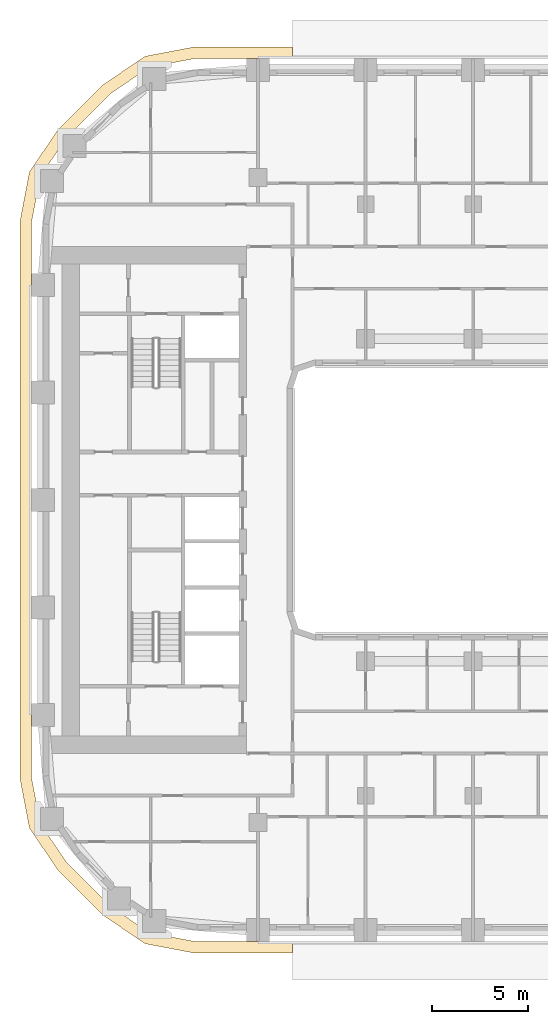
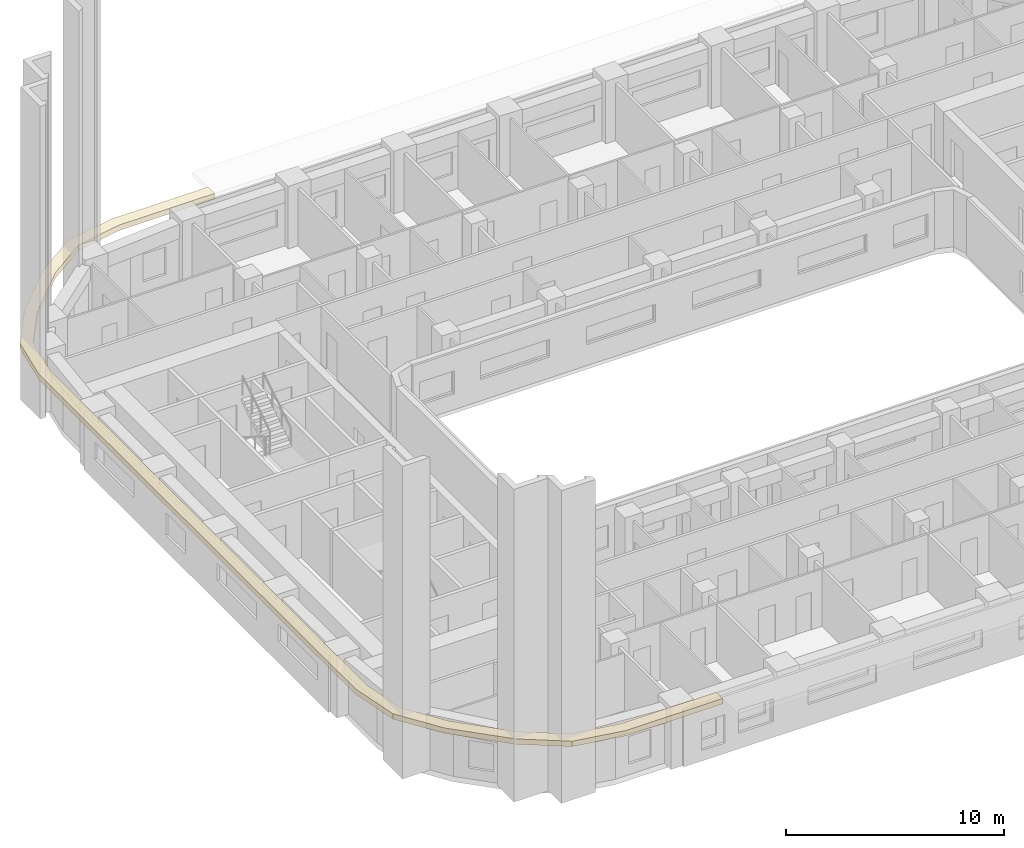
# One storey, part 15 of 23: 1 covering.
"""IFC4 building model written with IfcOpenShell, lengths in metres."""

from ifc_helpers import new_model, si_unit, direction, frame, origin, place, context, subcontext, project, spatial, polyline, outline, extrude, material, layer, layer_set, type_object, element, save


model = new_model("IFC4")

# Units and contexts
model_context = context("Model", 3, precision=1e-05, world=origin(), true_north=direction((0.0, 1.0)))
body_context = subcontext(model_context, "Body", "Model", "MODEL_VIEW")
ifc_project = project(units=[si_unit("LENGTHUNIT", "METRE"), si_unit("AREAUNIT", "SQUARE_METRE"), si_unit("VOLUMEUNIT", "CUBIC_METRE"), si_unit("PLANEANGLEUNIT", "RADIAN"), si_unit("MASSUNIT", "GRAM", prefix="KILO")], contexts=[model_context])

# Site, building, storey
site_placement = place(None, origin())
site = spatial("IfcSite", under=ifc_project, at=site_placement, CompositionType="ELEMENT")
building_placement = place(site_placement, origin())
building = spatial("IfcBuilding", under=site, at=building_placement, Name="Kiln Ring Residences", CompositionType="ELEMENT")
storey_placement = place(building_placement, frame((0.0, 0.0, 107.800048828125)))
storey = spatial("IfcBuildingStorey", under=building, at=storey_placement, Name="L27", CompositionType="ELEMENT", Elevation=107.800048828125)

# Covering
ifc_material = material(Name="Black powder-coated steel", Category="steel")
ifc_layer = layer(ifc_material, 0.300048828125)
ifc_layer_set = layer_set([ifc_layer], Name="SUNSHADE FIN 600")
covering_type = type_object("IfcCoveringType", Name="SUNSHADE FIN 600", PredefinedType="CLADDING", material=ifc_layer_set)
covering_placement = place(storey_placement, frame((0.0, 0.0, 3.199951171875)))
element("IfcCovering", 1, at=covering_placement, inside=storey, type_object=covering_type, Name="SUNSHADE FIN L27", PredefinedType="CLADDING", context=body_context, shape_type="SweptSolid", body=[
    extrude(outline(polyline([(-29.199951171875, -14.513427734375), (-28.7080078125, -17.09326171875), (-27.231689453125, -19.265380859375), (-24.865478515625, -21.631591796875), (-22.693115234375, -23.10791015625), (-20.11328125, -23.60009765625), (-15.0, -23.60009765625), (-15.0, -23.0), (-20.056640625, -23.0), (-22.458740234375, -22.541748046875), (-24.481201171875, -21.167236328125), (-26.767333984375, -18.881103515625), (-28.141845703125, -16.858642578125), (-28.60009765625, -14.456787109375), (-28.60009765625, 14.456787109375), (-28.141845703125, 16.858642578125), (-26.767333984375, 18.881103515625), (-24.481201171875, 21.167236328125), (-22.458740234375, 22.541748046875), (-20.056640625, 23.0), (-15.0, 23.0), (-15.0, 23.60009765625), (-20.11328125, 23.60009765625), (-22.693115234375, 23.10791015625), (-24.865478515625, 21.631591796875), (-27.231689453125, 19.265380859375), (-28.7080078125, 17.09326171875), (-29.199951171875, 14.513427734375), (-29.199951171875, -14.513427734375)])), origin(), (0.0, 0.0, 1.0), 0.300048828125),
])

save(model, "model.ifc")
